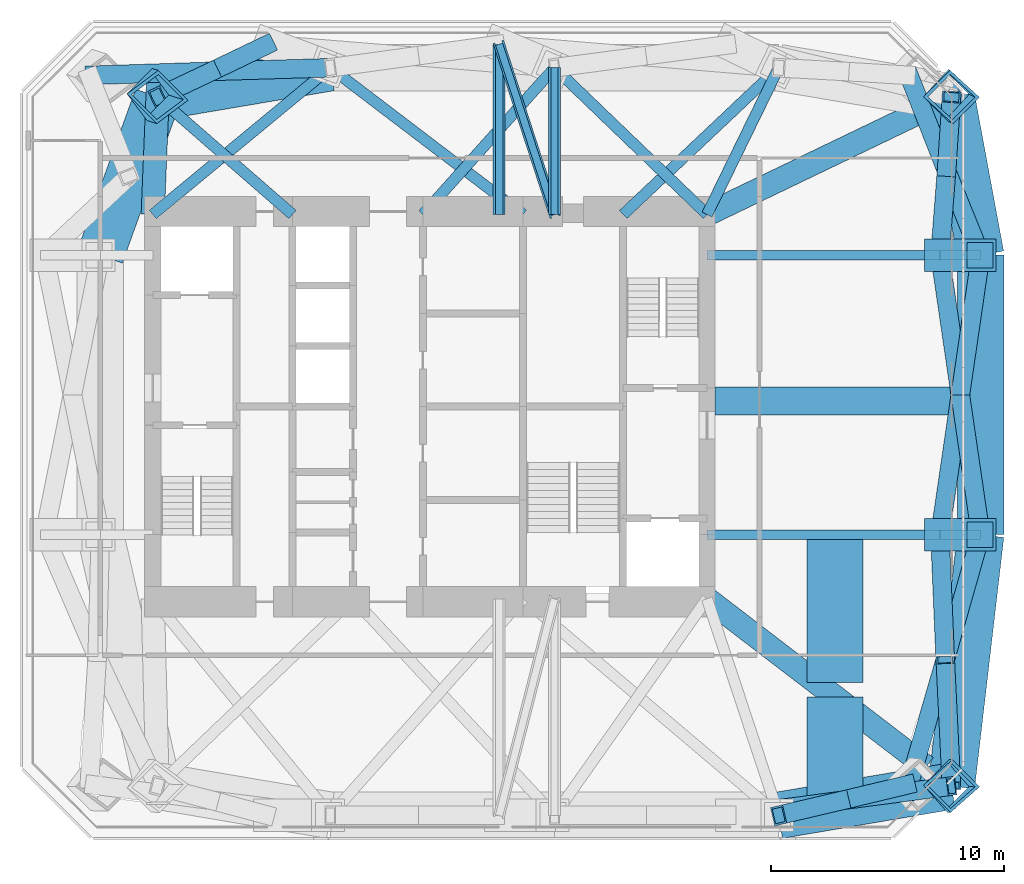
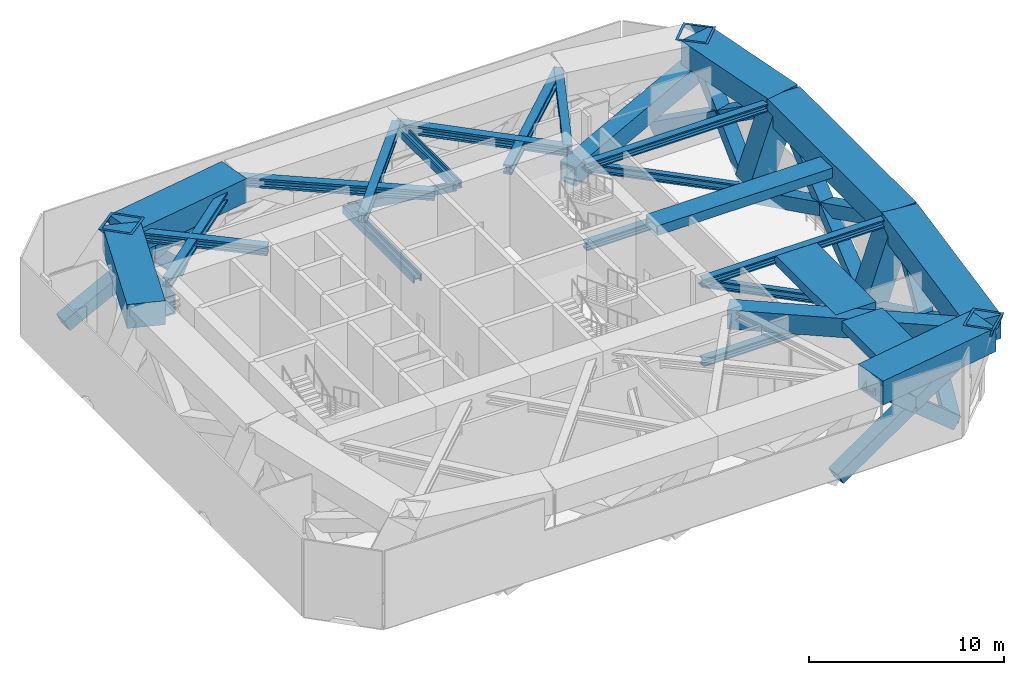
# One storey, part 2 of 9: 41 members, 12 beams.
"""IFC4 building model written with IfcOpenShell, lengths in metres."""

from ifc_helpers import new_model, si_unit, direction, frame, origin, origin_2d, place, context, subcontext, project, spatial, rectangle, hollow_rectangle, i_section, extrude, clip, halfspace, material, material_profile, profile_set, type_object, element, save


model = new_model("IFC4")

# Units and contexts
model_context = context("Model", 3, precision=1e-05, world=origin(), true_north=direction((0.0, 1.0)))
body_context = subcontext(model_context, "Body", "Model", "MODEL_VIEW")
ifc_project = project(units=[si_unit("LENGTHUNIT", "METRE"), si_unit("AREAUNIT", "SQUARE_METRE"), si_unit("VOLUMEUNIT", "CUBIC_METRE"), si_unit("PLANEANGLEUNIT", "RADIAN"), si_unit("MASSUNIT", "GRAM", prefix="KILO")], contexts=[model_context])

# Site, building, storey
site_placement = place(None, origin())
site = spatial("IfcSite", under=ifc_project, at=site_placement, CompositionType="ELEMENT")
building_placement = place(site_placement, origin())
building = spatial("IfcBuilding", under=site, at=building_placement, Name="Jalousie Tower", CompositionType="ELEMENT")
storey_placement = place(building_placement, frame((0.0, 0.0, 212.949951171875)))
storey = spatial("IfcBuildingStorey", under=building, at=storey_placement, Name="L58", CompositionType="ELEMENT", Elevation=212.949951171875)

# Beams
ifc_material_1 = material(Name="Steel ASTM A572 Grade 50 plate", Category="steel")
ifc_material_profile_1 = material_profile(ifc_material_1, hollow_rectangle(XDim=1.0, YDim=1.199951171875, WallThickness=0.10009765625, at=origin_2d()), Name="BOX 1200x1000x100")
ifc_profile_set_1 = profile_set([ifc_material_profile_1], Name="Steel ASTM A572 Grade 50 plate")
beam_type_1 = type_object("IfcBeamType", Name="KINK COLLECTOR BOX 1200x1000x100", PredefinedType="BEAM", material=ifc_profile_set_1)
beam_1_placement = place(storey_placement, frame((53.20947265625, 3.03759765625, 4.1201171875), z_axis=(-0.793667011712, 0.608352426247, 0.0), x_axis=(-0.608352426247, -0.793667011712, 0.0)))
element("IfcBeam", 1, at=beam_1_placement, inside=storey, type_object=beam_type_1, Name="Kink collector 05 L59", PredefinedType="BEAM", context=body_context, shape_type="SweptSolid", body=[
    extrude(hollow_rectangle(XDim=1.0, YDim=1.199951171875, WallThickness=0.10009765625, at=origin_2d()), origin(), (0.0, 0.0, 1.0), 11.855712890625),
])
beam_2_placement = place(storey_placement, frame((54.684326171875, 31.98095703125, 2.900146484375), z_axis=(-0.901312841963, -0.433168744155, 0.0), x_axis=(0.433168744155, -0.901312841963, 0.0)))
element("IfcBeam", 2, at=beam_2_placement, inside=storey, type_object=beam_type_1, Name="Kink collector 08 L59", PredefinedType="BEAM", context=body_context, shape_type="SweptSolid", body=[
    extrude(hollow_rectangle(XDim=1.0, YDim=1.199951171875, WallThickness=0.10009765625, at=origin_2d()), origin(), (0.0, 0.0, 1.0), 12.075927734375),
])
beam_3_placement = place(storey_placement, frame((20.236083984375, 32.497314453125, 2.900146484375), z_axis=(-0.041042657538, -0.99915739514, 0.0), x_axis=(0.99915739514, -0.041042657538, 0.0)))
element("IfcBeam", 3, at=beam_3_placement, inside=storey, type_object=beam_type_1, Name="Kink collector 12 L59", PredefinedType="BEAM", context=body_context, shape_type="SweptSolid", body=[
    extrude(hollow_rectangle(XDim=1.0, YDim=1.199951171875, WallThickness=0.10009765625, at=origin_2d()), origin(), (0.0, 0.0, 1.0), 5.752197265625),
])

# Members
ifc_material_2 = material(Name="Steel ASTM A992 Grade 50", Category="steel")
ifc_material_profile_2 = material_profile(ifc_material_2, i_section(OverallWidth=0.472412109375, OverallDepth=0.5791015625, WebThickness=0.094970703125, FlangeThickness=0.1298828125, at=origin_2d()), Name="W14X808")
ifc_profile_set_2 = profile_set([ifc_material_profile_2], Name="Steel ASTM A992 Grade 50")
member_type_1 = type_object("IfcMemberType", Name="KINK FLOOR TRUSS DIAGONAL W14X808", PredefinedType="BRACE", material=ifc_profile_set_2)
member_1_placement = place(storey_placement, frame((46.875, 33.050048828125, 4.430419921875), z_axis=(-0.727239572188, -0.686383715311, 0.0), x_axis=(0.686383715311, -0.727239572188, 0.0)))
element("IfcMember", 4, at=member_1_placement, inside=storey, type_object=member_type_1, Name="Kink floor truss L59 09 diagonal", PredefinedType="BRACE", context=body_context, shape_type="SweptSolid", body=[
    extrude(i_section(OverallWidth=0.472412109375, OverallDepth=0.5791015625, WebThickness=0.094970703125, FlangeThickness=0.1298828125, at=origin_2d()), origin(), (0.0, 0.0, 1.0), 9.1787109375),
])
member_2_placement = place(storey_placement, frame((46.875, 33.050048828125, 4.430419921875), z_axis=(-0.438626029998, -0.898669686708, 0.0), x_axis=(0.898669686708, -0.438626029998, 0.0)))
element("IfcMember", 5, at=member_2_placement, inside=storey, type_object=member_type_1, Name="Kink floor truss L59 09 diagonal", PredefinedType="BRACE", context=body_context, shape_type="SweptSolid", body=[
    extrude(i_section(OverallWidth=0.472412109375, OverallDepth=0.5791015625, WebThickness=0.094970703125, FlangeThickness=0.1298828125, at=origin_2d()), origin(), (0.0, 0.0, 1.0), 7.010498046875),
])
member_3_placement = place(storey_placement, frame((37.25, 33.050048828125, 4.430419921875), z_axis=(-0.667648694626, -0.744476474151, 0.0), x_axis=(0.744476474151, -0.667648694626, 0.0)))
element("IfcMember", 6, at=member_3_placement, inside=storey, type_object=member_type_1, Name="Kink floor truss L59 10 diagonal", PredefinedType="BRACE", context=body_context, shape_type="SweptSolid", body=[
    extrude(i_section(OverallWidth=0.472412109375, OverallDepth=0.5791015625, WebThickness=0.094970703125, FlangeThickness=0.1298828125, at=origin_2d()), origin(), (0.0, 0.0, 1.0), 8.46240234375),
])
member_4_placement = place(storey_placement, frame((37.25, 33.050048828125, 4.430419921875), z_axis=(0.720727232781, -0.693218764841, 0.0), x_axis=(0.693218764841, 0.720727232781, 0.0)))
element("IfcMember", 7, at=member_4_placement, inside=storey, type_object=member_type_1, Name="Kink floor truss L59 10 diagonal", PredefinedType="BRACE", context=body_context, shape_type="SweptSolid", body=[
    extrude(i_section(OverallWidth=0.472412109375, OverallDepth=0.5791015625, WebThickness=0.094970703125, FlangeThickness=0.1298828125, at=origin_2d()), origin(), (0.0, 0.0, 1.0), 9.088134765625),
])
member_5_placement = place(storey_placement, frame((27.625, 33.050048828125, 4.430419921875), z_axis=(-0.770905365546, -0.636949697679, 0.0), x_axis=(0.636949697679, -0.770905365546, 0.0)))
element("IfcMember", 8, at=member_5_placement, inside=storey, type_object=member_type_1, Name="Kink floor truss L59 11 diagonal", PredefinedType="BRACE", context=body_context, shape_type="SweptSolid", body=[
    extrude(i_section(OverallWidth=0.472412109375, OverallDepth=0.5791015625, WebThickness=0.094970703125, FlangeThickness=0.1298828125, at=origin_2d()), origin(), (0.0, 0.0, 1.0), 9.890869140625),
])
member_6_placement = place(storey_placement, frame((27.625, 33.050048828125, 4.430419921875), z_axis=(0.795646679414, -0.605760977232, 0.0), x_axis=(0.605760977232, 0.795646679414, 0.0)))
element("IfcMember", 9, at=member_6_placement, inside=storey, type_object=member_type_1, Name="Kink floor truss L59 11 diagonal", PredefinedType="BRACE", context=body_context, shape_type="SweptSolid", body=[
    extrude(i_section(OverallWidth=0.472412109375, OverallDepth=0.5791015625, WebThickness=0.094970703125, FlangeThickness=0.1298828125, at=origin_2d()), origin(), (0.0, 0.0, 1.0), 10.400146484375),
])
member_7_placement = place(storey_placement, frame((20.20703125, 31.79296875, 4.430419921875), z_axis=(0.754244081951, -0.656594140121, 0.0), x_axis=(0.656594140121, 0.754244081951, 0.0)))
element("IfcMember", 10, at=member_7_placement, inside=storey, type_object=member_type_1, Name="Kink floor truss L59 12 diagonal", PredefinedType="BRACE", context=body_context, shape_type="SweptSolid", body=[
    extrude(i_section(OverallWidth=0.472412109375, OverallDepth=0.5791015625, WebThickness=0.094970703125, FlangeThickness=0.1298828125, at=origin_2d()), origin(), (0.0, 0.0, 1.0), 7.680419921875),
])
ifc_material_3 = material(Name="Steel EN 10025-2 S355J2 plate", Category="steel")
ifc_material_profile_3 = material_profile(ifc_material_3, hollow_rectangle(XDim=1.60009765625, YDim=1.60009765625, WallThickness=0.125, at=origin_2d()), Name="BOX 1600x1600x125")
ifc_profile_set_3 = profile_set([ifc_material_profile_3], Name="Steel EN 10025-2 S355J2 plate")
member_type_2 = type_object("IfcMemberType", Name="KINK NODE BOX 1600x1600x125", PredefinedType="MEMBER", material=ifc_profile_set_3)
member_8_placement = place(storey_placement, frame((54.15185546875, 2.212646484375, 4.612548828125), z_axis=(0.342188044651, -0.013320468866, 0.939537070693), x_axis=(-0.641638101382, 0.727161988074, 0.243999979414)))
element("IfcMember", 11, at=member_8_placement, inside=storey, type_object=member_type_2, Name="Kink node of corner column 05 at +217.950", PredefinedType="MEMBER", context=body_context, shape_type="Clipping", body=[
    clip(extrude(hollow_rectangle(XDim=1.60009765625, YDim=1.60009765625, WallThickness=0.125, at=origin_2d()), origin(), (0.0, 0.0, 1.0), 0.82470703125), halfspace(frame((0.0, 0.0, 0.412353515625), z_axis=(0.243999979414, 0.240279218491, 0.939537070693)), False)),
])
member_9_placement = place(storey_placement, frame((54.155517578125, 31.863037109375, 4.623046875), z_axis=(0.337200690195, -0.172047285486, 0.925578427843), x_axis=(-0.672252131862, -0.732284918732, 0.108792780114)))
element("IfcMember", 12, at=member_9_placement, inside=storey, type_object=member_type_2, Name="Kink node of corner column 08 at +217.950", PredefinedType="MEMBER", context=body_context, shape_type="Clipping", body=[
    clip(extrude(hollow_rectangle(XDim=1.60009765625, YDim=1.60009765625, WallThickness=0.125, at=origin_2d()), origin(), (0.0, 0.0, 1.0), 0.814453125), halfspace(frame((0.0, 0.0, 0.4072265625), z_axis=(0.108792780114, -0.362586134465, 0.925578427843)), False)),
])
member_10_placement = place(storey_placement, frame((19.869873046875, 31.89990234375, 4.424560546875), z_axis=(0.499065190911, -0.158464942951, 0.851952344369), x_axis=(0.536401926302, -0.715657974966, -0.44733280265)))
element("IfcMember", 13, at=member_10_placement, inside=storey, type_object=member_type_2, Name="Kink node of corner column 12 at +217.950", PredefinedType="MEMBER", context=body_context, shape_type="Clipping", body=[
    clip(extrude(hollow_rectangle(XDim=1.60009765625, YDim=1.60009765625, WallThickness=0.125, at=origin_2d()), origin(), (0.0, 0.0, 1.0), 1.35107421875), halfspace(frame((0.0, 0.0, 0.675537109375), z_axis=(-0.44733280265, -0.272159083254, 0.851952344369)), False)),
])

# Beam
ifc_material_4 = material(Name="Steel ASTM A572 Grade 50 plate", Category="steel")
ifc_material_profile_4 = material_profile(ifc_material_4, hollow_rectangle(XDim=1.199951171875, YDim=0.60009765625, WallThickness=0.10009765625, at=origin_2d()), Name="BOX 600x1200x100")
ifc_profile_set_4 = profile_set([ifc_material_profile_4], Name="Steel ASTM A572 Grade 50 plate")
beam_type_2 = type_object("IfcBeamType", Name="KINK TIE BOX 600x1200x100", PredefinedType="BEAM", material=ifc_profile_set_4)
beam_4_placement = place(storey_placement, frame((44.14990234375, 18.75, 4.420166015625), z_axis=(1.0, 0.0, 0.0), x_axis=(0.0, 1.0, 0.0)))
element("IfcBeam", 14, at=beam_4_placement, inside=storey, type_object=beam_type_2, Name="Kink tie under L59", PredefinedType="BEAM", context=body_context, shape_type="SweptSolid", body=[
    extrude(hollow_rectangle(XDim=1.199951171875, YDim=0.60009765625, WallThickness=0.10009765625, at=origin_2d()), origin(), (0.0, 0.0, 1.0), 10.400146484375),
])

# Members
ifc_material_5 = material(Name="Steel ASTM A992 Grade 50", Category="steel")
ifc_material_profile_5 = material_profile(ifc_material_5, i_section(OverallWidth=0.43701171875, OverallDepth=0.51318359375, WebThickness=0.060546875, FlangeThickness=0.096923828125, at=origin_2d()), Name="W14X550")
ifc_profile_set_5 = profile_set([ifc_material_profile_5], Name="Steel ASTM A992 Grade 50")
member_type_3 = type_object("IfcMemberType", Name="NORTH-SOUTH OUTRIGGER CHORD W14X550", PredefinedType="CHORD", material=ifc_profile_set_5)
member_11_placement = place(storey_placement, frame((34.875, 34.050048828125, -0.53662109375), z_axis=(0.0, -1.0, 0.0), x_axis=(0.0, 0.0, 1.0)))
element("IfcMember", 15, at=member_11_placement, inside=storey, type_object=member_type_3, Name="Outrigger T3 N10 chord L58", PredefinedType="CHORD", context=body_context, shape_type="SweptSolid", body=[
    extrude(i_section(OverallWidth=0.43701171875, OverallDepth=0.51318359375, WebThickness=0.060546875, FlangeThickness=0.096923828125, at=origin_2d()), origin(), (0.0, 0.0, 1.0), 7.300048828125),
])
member_12_placement = place(storey_placement, frame((37.25, 33.050048828125, 4.46337890625), z_axis=(0.0, -1.0, 0.0), x_axis=(0.0, 0.0, 1.0)))
element("IfcMember", 16, at=member_12_placement, inside=storey, type_object=member_type_3, Name="Outrigger T3 N10 chord L59", PredefinedType="CHORD", context=body_context, shape_type="SweptSolid", body=[
    extrude(i_section(OverallWidth=0.43701171875, OverallDepth=0.51318359375, WebThickness=0.060546875, FlangeThickness=0.096923828125, at=origin_2d()), origin(), (0.0, 0.0, 1.0), 6.300048828125),
])
ifc_material_6 = material(Name="Steel ASTM A992 Grade 50", Category="steel")
ifc_material_profile_6 = material_profile(ifc_material_6, i_section(OverallWidth=0.42431640625, OverallDepth=0.47509765625, WebThickness=0.0478515625, FlangeThickness=0.0771484375, at=origin_2d()), Name="W14X426")
ifc_profile_set_6 = profile_set([ifc_material_profile_6], Name="Steel ASTM A992 Grade 50")
member_type_4 = type_object("IfcMemberType", Name="NORTH-SOUTH OUTRIGGER DIAGONAL W14X426", PredefinedType="BRACE", material=ifc_profile_set_6)
member_13_placement = place(storey_placement, frame((34.875, 34.050048828125, -0.53662109375), z_axis=(0.259239718371, -0.796826358862, 0.545767828149), x_axis=(-0.168848961906, 0.518991859576, 0.837936440166)))
element("IfcMember", 17, at=member_13_placement, inside=storey, type_object=member_type_4, Name="Outrigger T3 N10 diagonal L58", PredefinedType="BRACE", context=body_context, shape_type="SweptSolid", body=[
    extrude(i_section(OverallWidth=0.42431640625, OverallDepth=0.47509765625, WebThickness=0.0478515625, FlangeThickness=0.0771484375, at=origin_2d()), origin(), (0.0, 0.0, 1.0), 9.161376953125),
])
ifc_material_7 = material(Name="Steel ASTM A992 Grade 50", Category="steel")
ifc_material_profile_7 = material_profile(ifc_material_7, i_section(OverallWidth=0.42431640625, OverallDepth=0.47509765625, WebThickness=0.0478515625, FlangeThickness=0.0771484375, at=origin_2d()), Name="W14X426")
ifc_profile_set_7 = profile_set([ifc_material_profile_7], Name="Steel ASTM A992 Grade 50")
member_type_5 = type_object("IfcMemberType", Name="OUTRIGGER CHORD W14X426", PredefinedType="CHORD", material=ifc_profile_set_7)
member_14_placement = place(storey_placement, frame((53.800048828125, 13.0, -0.517333984375), z_axis=(-1.0, 0.0, 0.0), x_axis=(0.0, -1.0, 0.0)))
element("IfcMember", 18, at=member_14_placement, inside=storey, type_object=member_type_5, Name="Outrigger T3 east arm at column 06 chord L58", PredefinedType="CHORD", context=body_context, shape_type="SweptSolid", body=[
    extrude(i_section(OverallWidth=0.42431640625, OverallDepth=0.47509765625, WebThickness=0.0478515625, FlangeThickness=0.0771484375, at=origin_2d()), origin(), (0.0, 0.0, 1.0), 10.0),
])
member_15_placement = place(storey_placement, frame((55.550048828125, 13.0, 4.482666015625), z_axis=(-1.0, 0.0, 0.0), x_axis=(0.0, -1.0, 0.0)))
element("IfcMember", 19, at=member_15_placement, inside=storey, type_object=member_type_5, Name="Outrigger T3 east arm at column 06 chord L59", PredefinedType="CHORD", context=body_context, shape_type="SweptSolid", body=[
    extrude(i_section(OverallWidth=0.42431640625, OverallDepth=0.47509765625, WebThickness=0.0478515625, FlangeThickness=0.0771484375, at=origin_2d()), origin(), (0.0, 0.0, 1.0), 11.75),
])
member_16_placement = place(storey_placement, frame((53.800048828125, 25.0, -0.517333984375), z_axis=(-1.0, 0.0, 0.0), x_axis=(0.0, -1.0, 0.0)))
element("IfcMember", 20, at=member_16_placement, inside=storey, type_object=member_type_5, Name="Outrigger T3 east arm at column 07 chord L58", PredefinedType="CHORD", context=body_context, shape_type="SweptSolid", body=[
    extrude(i_section(OverallWidth=0.42431640625, OverallDepth=0.47509765625, WebThickness=0.0478515625, FlangeThickness=0.0771484375, at=origin_2d()), origin(), (0.0, 0.0, 1.0), 10.0),
])
member_17_placement = place(storey_placement, frame((55.550048828125, 25.0, 4.482666015625), z_axis=(-1.0, 0.0, 0.0), x_axis=(0.0, -1.0, 0.0)))
element("IfcMember", 21, at=member_17_placement, inside=storey, type_object=member_type_5, Name="Outrigger T3 east arm at column 07 chord L59", PredefinedType="CHORD", context=body_context, shape_type="SweptSolid", body=[
    extrude(i_section(OverallWidth=0.42431640625, OverallDepth=0.47509765625, WebThickness=0.0478515625, FlangeThickness=0.0771484375, at=origin_2d()), origin(), (0.0, 0.0, 1.0), 11.75),
])
ifc_material_8 = material(Name="Steel ASTM A992 Grade 50", Category="steel")
ifc_material_profile_8 = material_profile(ifc_material_8, i_section(OverallWidth=0.42431640625, OverallDepth=0.47509765625, WebThickness=0.0478515625, FlangeThickness=0.0771484375, at=origin_2d()), Name="W14X426")
ifc_profile_set_8 = profile_set([ifc_material_profile_8], Name="Steel ASTM A992 Grade 50")
member_type_6 = type_object("IfcMemberType", Name="OUTRIGGER DIAGONAL W14X426", PredefinedType="BRACE", material=ifc_profile_set_8)
for number, where, z_axis, x_axis, name in (
    (22, (53.800048828125, 13.0, -0.517333984375), (-0.894427191, 0.0, 0.4472135955), (0.0, -1.0, 0.0), "Outrigger T3 east arm at column 06 diagonal L58"),
    (23, (53.800048828125, 25.0, -0.517333984375), (-0.894427191, 0.0, 0.4472135955), (0.0, -1.0, 0.0), "Outrigger T3 east arm at column 07 diagonal L58"),
):
    element("IfcMember", number, at=place(storey_placement, frame(where, z_axis=z_axis, x_axis=x_axis)), inside=storey, type_object=member_type_6, Name=name, PredefinedType="BRACE", context=body_context, shape_type="SweptSolid", body=[
        extrude(i_section(OverallWidth=0.42431640625, OverallDepth=0.47509765625, WebThickness=0.0478515625, FlangeThickness=0.0771484375, at=origin_2d()), origin(), (0.0, 0.0, 1.0), 11.180419921875),
    ])
ifc_material_9 = material(Name="Steel ASTM A572 Grade 50 plate", Category="steel")
ifc_material_profile_9 = material_profile(ifc_material_9, hollow_rectangle(XDim=0.800048828125, YDim=0.800048828125, WallThickness=0.080078125, at=origin_2d()), Name="BOX 800x800x80")
ifc_profile_set_9 = profile_set([ifc_material_profile_9], Name="Steel ASTM A572 Grade 50 plate")
member_type_7 = type_object("IfcMemberType", Name="PERIMETER BRACE BOX 800x800x80", PredefinedType="BRACE", material=ifc_profile_set_9)
member_18_placement = place(storey_placement, frame((44.8125, 0.949951171875, -0.75), z_axis=(0.878284702449, 0.117766553684, 0.463408049432), x_axis=(-0.132897609626, 0.991129772207, 0.0)))
element("IfcMember", 24, at=member_18_placement, inside=storey, type_object=member_type_7, Name="Perimeter brace 04-05 L58 part 1", PredefinedType="BRACE", context=body_context, shape_type="SweptSolid", body=[
    extrude(hollow_rectangle(XDim=0.800048828125, YDim=0.800048828125, WallThickness=0.080078125, at=origin_2d()), origin(), (0.0, 0.0, 1.0), 5.4833984375),
])
member_19_placement = place(storey_placement, frame((49.62841796875, 1.595703125, 1.791015625), z_axis=(0.87872294569, 0.115163940961, 0.463231315241), x_axis=(-0.129947054297, 0.991520934262, 0.0)))
element("IfcMember", 25, at=member_19_placement, inside=storey, type_object=member_type_7, Name="Perimeter brace 04-05 L58 part 2", PredefinedType="BRACE", context=body_context, shape_type="SweptSolid", body=[
    extrude(hollow_rectangle(XDim=0.800048828125, YDim=0.800048828125, WallThickness=0.080078125, at=origin_2d()), origin(), (0.0, 0.0, 1.0), 5.308349609375),
])
member_20_placement = place(storey_placement, frame((52.47216796875, 2.27783203125, -0.75), z_axis=(-0.734033543975, -0.17607226321, 0.655891236752), x_axis=(0.233252966814, -0.97241609071, 0.0)))
element("IfcMember", 26, at=member_20_placement, inside=storey, type_object=member_type_7, Name="Perimeter brace 04-05 L58 part 3", PredefinedType="BRACE", context=body_context, shape_type="SweptSolid", body=[
    extrude(hollow_rectangle(XDim=0.800048828125, YDim=0.800048828125, WallThickness=0.080078125, at=origin_2d()), origin(), (0.0, 0.0, 1.0), 3.8740234375),
])
member_21_placement = place(storey_placement, frame((49.62841796875, 1.595703125, 1.791015625), z_axis=(-0.734704429335, -0.17230831846, 0.656139653508), x_axis=(0.228331967072, -0.973583336347, 0.0)))
element("IfcMember", 27, at=member_21_placement, inside=storey, type_object=member_type_7, Name="Perimeter brace 04-05 L58 part 4", PredefinedType="BRACE", context=body_context, shape_type="SweptSolid", body=[
    extrude(hollow_rectangle(XDim=0.800048828125, YDim=0.800048828125, WallThickness=0.080078125, at=origin_2d()), origin(), (0.0, 0.0, 1.0), 3.74755859375),
])
member_22_placement = place(storey_placement, frame((52.47216796875, 2.27783203125, -0.75), z_axis=(0.254620544306, 0.876746604302, 0.408024227543), x_axis=(-0.960322406857, 0.278892228089, 0.0)))
element("IfcMember", 28, at=member_22_placement, inside=storey, type_object=member_type_7, Name="Perimeter brace 05-06 L58 part 1", PredefinedType="BRACE", context=body_context, shape_type="SweptSolid", body=[
    extrude(hollow_rectangle(XDim=0.800048828125, YDim=0.800048828125, WallThickness=0.080078125, at=origin_2d()), origin(), (0.0, 0.0, 1.0), 6.109619140625),
])
member_23_placement = place(storey_placement, frame((54.02783203125, 7.634521484375, 1.742919921875), z_axis=(0.248939169145, 0.877455672863, 0.410001014908), x_axis=(-0.962032715468, 0.272934157571, 0.0)))
element("IfcMember", 29, at=member_23_placement, inside=storey, type_object=member_type_7, Name="Perimeter brace 05-06 L58 part 2", PredefinedType="BRACE", context=body_context, shape_type="SweptSolid", body=[
    extrude(hollow_rectangle(XDim=0.800048828125, YDim=0.800048828125, WallThickness=0.080078125, at=origin_2d()), origin(), (0.0, 0.0, 1.0), 6.11474609375),
])
member_24_placement = place(storey_placement, frame((53.800048828125, 13.0, -0.75), z_axis=(0.038472230209, -0.906221011041, 0.42105031368), x_axis=(0.999100067546, 0.042415268827, 0.0)))
element("IfcMember", 30, at=member_24_placement, inside=storey, type_object=member_type_7, Name="Perimeter brace 05-06 L58 part 3", PredefinedType="BRACE", context=body_context, shape_type="SweptSolid", body=[
    extrude(hollow_rectangle(XDim=0.800048828125, YDim=0.800048828125, WallThickness=0.080078125, at=origin_2d()), origin(), (0.0, 0.0, 1.0), 5.920654296875),
])
member_25_placement = place(storey_placement, frame((54.02783203125, 7.634521484375, 1.742919921875), z_axis=(0.04430442569, -0.906935255544, 0.418933837397), x_axis=(0.998808935696, 0.048792519642, 0.0)))
element("IfcMember", 31, at=member_25_placement, inside=storey, type_object=member_type_7, Name="Perimeter brace 05-06 L58 part 4", PredefinedType="BRACE", context=body_context, shape_type="SweptSolid", body=[
    extrude(hollow_rectangle(XDim=0.800048828125, YDim=0.800048828125, WallThickness=0.080078125, at=origin_2d()), origin(), (0.0, 0.0, 1.0), 5.984375),
])
for number, where, z_axis, x_axis, name in (
    (32, (53.800048828125, 13.0, -0.75), (0.133412012142, 0.914825226113, 0.381177177547), (-0.989532981063, 0.144306893072, 0.0), "Perimeter brace 06-07 L58 part 1"),
    (33, (54.675048828125, 19.0, 1.75), (0.133412012142, 0.914825226113, 0.381177177547), (-0.989532981063, 0.144306893072, 0.0), "Perimeter brace 06-07 L58 part 2"),
    (34, (53.800048828125, 25.0, -0.75), (0.133412012142, -0.914825226113, 0.381177177547), (0.989532981063, 0.144306893072, 0.0), "Perimeter brace 06-07 L58 part 3"),
    (35, (54.675048828125, 19.0, 1.75), (0.133412012142, -0.914825226113, 0.381177177547), (0.989532981063, 0.144306893072, 0.0), "Perimeter brace 06-07 L58 part 4"),
):
    element("IfcMember", number, at=place(storey_placement, frame(where, z_axis=z_axis, x_axis=x_axis)), inside=storey, type_object=member_type_7, Name=name, PredefinedType="BRACE", context=body_context, shape_type="SweptSolid", body=[
        extrude(hollow_rectangle(XDim=0.800048828125, YDim=0.800048828125, WallThickness=0.080078125, at=origin_2d()), origin(), (0.0, 0.0, 1.0), 6.55859375),
    ])
member_26_placement = place(storey_placement, frame((53.800048828125, 25.0, -0.75), z_axis=(0.062941048439, 0.804788857949, 0.590214637689), x_axis=(-0.996955700846, 0.077970061885, 0.0)))
element("IfcMember", 36, at=member_26_placement, inside=storey, type_object=member_type_7, Name="Perimeter brace 07-08 L58 part 1", PredefinedType="BRACE", context=body_context, shape_type="SweptSolid", body=[
    extrude(hollow_rectangle(XDim=0.800048828125, YDim=0.800048828125, WallThickness=0.080078125, at=origin_2d()), origin(), (0.0, 0.0, 1.0), 4.50341796875),
])
member_27_placement = place(storey_placement, frame((54.08349609375, 28.624267578125, 1.907958984375), z_axis=(0.053086878457, 0.803047314089, 0.593545949923), x_axis=(-0.997822082005, 0.065962812725, 0.0)))
element("IfcMember", 37, at=member_27_placement, inside=storey, type_object=member_type_7, Name="Perimeter brace 07-08 L58 part 2", PredefinedType="BRACE", context=body_context, shape_type="SweptSolid", body=[
    extrude(hollow_rectangle(XDim=0.800048828125, YDim=0.800048828125, WallThickness=0.080078125, at=origin_2d()), origin(), (0.0, 0.0, 1.0), 3.94580078125),
])
member_28_placement = place(storey_placement, frame((52.47216796875, 32.72216796875, -0.75), z_axis=(0.31328459218, -0.796739678748, 0.516777175009), x_axis=(0.930640254564, 0.365935399471, 0.0)))
element("IfcMember", 38, at=member_28_placement, inside=storey, type_object=member_type_7, Name="Perimeter brace 07-08 L58 part 3", PredefinedType="BRACE", context=body_context, shape_type="SweptSolid", body=[
    extrude(hollow_rectangle(XDim=0.800048828125, YDim=0.800048828125, WallThickness=0.080078125, at=origin_2d()), origin(), (0.0, 0.0, 1.0), 5.143310546875),
])
member_29_placement = place(storey_placement, frame((54.08349609375, 28.624267578125, 1.907958984375), z_axis=(0.321785435236, -0.79522303747, 0.513881751327), x_axis=(0.926983520962, 0.375102055266, 0.0)))
element("IfcMember", 39, at=member_29_placement, inside=storey, type_object=member_type_7, Name="Perimeter brace 07-08 L58 part 4", PredefinedType="BRACE", context=body_context, shape_type="SweptSolid", body=[
    extrude(hollow_rectangle(XDim=0.800048828125, YDim=0.800048828125, WallThickness=0.080078125, at=origin_2d()), origin(), (0.0, 0.0, 1.0), 4.5576171875),
])
member_30_placement = place(storey_placement, frame((24.9375, 34.050048828125, -0.75), z_axis=(-0.652746835595, -0.313387386558, 0.689717271472), x_axis=(0.432808409091, -0.901485929463, 0.0)))
element("IfcMember", 40, at=member_30_placement, inside=storey, type_object=member_type_7, Name="Perimeter brace 11-12 L58 part 1", PredefinedType="BRACE", context=body_context, shape_type="SweptSolid", body=[
    extrude(hollow_rectangle(XDim=0.800048828125, YDim=0.800048828125, WallThickness=0.080078125, at=origin_2d()), origin(), (0.0, 0.0, 1.0), 3.684814453125),
])
member_31_placement = place(storey_placement, frame((22.5322265625, 32.895263671875, 1.79150390625), z_axis=(-0.653346081481, -0.309728849001, 0.690801663221), x_axis=(0.428367733916, -0.90360449564, 0.0)))
element("IfcMember", 41, at=member_31_placement, inside=storey, type_object=member_type_7, Name="Perimeter brace 11-12 L58 part 2", PredefinedType="BRACE", context=body_context, shape_type="SweptSolid", body=[
    extrude(hollow_rectangle(XDim=0.800048828125, YDim=0.800048828125, WallThickness=0.080078125, at=origin_2d()), origin(), (0.0, 0.0, 1.0), 3.558837890625),
])
member_32_placement = place(storey_placement, frame((17.27783203125, 32.72216796875, -0.75), z_axis=(0.89982712042, 0.029643036352, 0.435238375782), x_axis=(-0.032925173962, 0.99945781948, 0.0)))
element("IfcMember", 42, at=member_32_placement, inside=storey, type_object=member_type_7, Name="Perimeter brace 11-12 L58 part 3", PredefinedType="BRACE", context=body_context, shape_type="SweptSolid", body=[
    extrude(hollow_rectangle(XDim=0.800048828125, YDim=0.800048828125, WallThickness=0.080078125, at=origin_2d()), origin(), (0.0, 0.0, 1.0), 5.83935546875),
])
member_33_placement = place(storey_placement, frame((22.5322265625, 32.895263671875, 1.79150390625), z_axis=(0.900220324653, 0.027360483501, 0.434574241096), x_axis=(-0.030379068889, 0.999538449572, 0.0)))
element("IfcMember", 43, at=member_33_placement, inside=storey, type_object=member_type_7, Name="Perimeter brace 11-12 L58 part 4", PredefinedType="BRACE", context=body_context, shape_type="SweptSolid", body=[
    extrude(hollow_rectangle(XDim=0.800048828125, YDim=0.800048828125, WallThickness=0.080078125, at=origin_2d()), origin(), (0.0, 0.0, 1.0), 5.6572265625),
])

# Beams
ifc_material_10 = material(Name="Concrete f'c 40 MPa", Category="concrete")
ifc_material_profile_10 = material_profile(ifc_material_10, rectangle(XDim=2.0, YDim=1.5, at=origin_2d()), Name="RC 2000x1500")
ifc_profile_set_10 = profile_set([ifc_material_profile_10], Name="Concrete f'c 40 MPa")
beam_type_3 = type_object("IfcBeamType", Name="RC BEAM 2000x1500", PredefinedType="BEAM", material=ifc_profile_set_10)
beam_5_placement = place(storey_placement, frame((46.875, 0.949951171875, 4.25), z_axis=(0.985942997446, 0.167082033105, 0.0), x_axis=(-0.167082033105, 0.985942997446, 0.0)))
element("IfcBeam", 44, at=beam_5_placement, inside=storey, type_object=beam_type_3, Name="Edge band beam 04-05 under L59", PredefinedType="BEAM", context=body_context, shape_type="SweptSolid", body=[
    extrude(rectangle(XDim=2.0, YDim=1.5, at=origin_2d()), origin(), (0.0, 0.0, 1.0), 7.523681640625),
])
beam_6_placement = place(storey_placement, frame((54.29296875, 2.20703125, 4.25), z_axis=(0.115690063472, 0.993285361421, 0.0), x_axis=(-0.993285361421, 0.115690063472, 0.0)))
element("IfcBeam", 45, at=beam_6_placement, inside=storey, type_object=beam_type_3, Name="Edge band beam 05-06 under L59", PredefinedType="BEAM", context=body_context, shape_type="SweptSolid", body=[
    extrude(rectangle(XDim=2.0, YDim=1.5, at=origin_2d()), origin(), (0.0, 0.0, 1.0), 10.865966796875),
])
beam_7_placement = place(storey_placement, frame((55.550048828125, 13.0, 4.25), z_axis=(0.0, 1.0, 0.0), x_axis=(-1.0, 0.0, 0.0)))
element("IfcBeam", 46, at=beam_7_placement, inside=storey, type_object=beam_type_3, Name="Edge band beam 06-07 under L59", PredefinedType="BEAM", context=body_context, shape_type="SweptSolid", body=[
    extrude(rectangle(XDim=2.0, YDim=1.5, at=origin_2d()), origin(), (0.0, 0.0, 1.0), 12.0),
])
beam_8_placement = place(storey_placement, frame((55.550048828125, 25.0, 4.25), z_axis=(-0.181966505593, 0.983304729391, 0.0), x_axis=(-0.983304729391, -0.181966505593, 0.0)))
element("IfcBeam", 47, at=beam_8_placement, inside=storey, type_object=beam_type_3, Name="Edge band beam 07-08 under L59", PredefinedType="BEAM", context=body_context, shape_type="SweptSolid", body=[
    extrude(rectangle(XDim=2.0, YDim=1.5, at=origin_2d()), origin(), (0.0, 0.0, 1.0), 6.908203125),
])
beam_9_placement = place(storey_placement, frame((27.625, 33.050048828125, 4.25), z_axis=(-0.985942997446, -0.167082033105, 0.0), x_axis=(0.167082033105, -0.985942997446, 0.0)))
element("IfcBeam", 48, at=beam_9_placement, inside=storey, type_object=beam_type_3, Name="Edge band beam 11-12 under L59", PredefinedType="BEAM", context=body_context, shape_type="SweptSolid", body=[
    extrude(rectangle(XDim=2.0, YDim=1.5, at=origin_2d()), origin(), (0.0, 0.0, 1.0), 7.523681640625),
])
beam_10_placement = place(storey_placement, frame((20.20703125, 31.79296875, 4.25), z_axis=(-0.340136081654, -0.940376225751, 0.0), x_axis=(0.940376225751, -0.340136081654, 0.0)))
element("IfcBeam", 49, at=beam_10_placement, inside=storey, type_object=beam_type_3, Name="Edge band beam 12-13 under L59", PredefinedType="BEAM", context=body_context, shape_type="SweptSolid", body=[
    extrude(rectangle(XDim=2.0, YDim=1.5, at=origin_2d()), origin(), (0.0, 0.0, 1.0), 7.2236328125),
])
ifc_material_11 = material(Name="Concrete f'c 40 MPa", Category="concrete")
ifc_material_profile_11 = material_profile(ifc_material_11, rectangle(XDim=2.39990234375, YDim=0.60009765625, at=origin_2d()), Name="RC 2400x600")
ifc_profile_set_11 = profile_set([ifc_material_profile_11], Name="Concrete f'c 40 MPa")
beam_type_4 = type_object("IfcBeamType", Name="RC BEAM 2400x600", PredefinedType="BEAM", material=ifc_profile_set_11)
beam_11_placement = place(storey_placement, frame((49.300048828125, 1.361083984375, 4.420166015625), z_axis=(0.0, 1.0, 0.0), x_axis=(-1.0, 0.0, 0.0)))
element("IfcBeam", 50, at=beam_11_placement, inside=storey, type_object=beam_type_4, Name="Floor band beam under L59", PredefinedType="BEAM", context=body_context, shape_type="SweptSolid", body=[
    extrude(rectangle(XDim=2.39990234375, YDim=0.60009765625, at=origin_2d()), origin(), (0.0, 0.0, 1.0), 4.673095703125),
])
beam_12_placement = place(storey_placement, frame((49.300048828125, 6.664306640625, 4.420166015625), z_axis=(0.0, 1.0, 0.0), x_axis=(-1.0, 0.0, 0.0)))
element("IfcBeam", 51, at=beam_12_placement, inside=storey, type_object=beam_type_4, Name="Floor band beam under L59", PredefinedType="BEAM", context=body_context, shape_type="SweptSolid", body=[
    extrude(rectangle(XDim=2.39990234375, YDim=0.60009765625, at=origin_2d()), origin(), (0.0, 0.0, 1.0), 6.335693359375),
])

# Members
ifc_material_12 = material(Name="Steel EN 10025-2 S355J2 plate", Category="steel")
ifc_material_profile_12 = material_profile(ifc_material_12, hollow_rectangle(XDim=1.39990234375, YDim=1.39990234375, WallThickness=0.14990234375, at=origin_2d()), Name="BOX 1400x1400x150")
ifc_profile_set_12 = profile_set([ifc_material_profile_12], Name="Steel EN 10025-2 S355J2 plate")
member_type_8 = type_object("IfcMemberType", Name="TRANSFER TRUSS STRUT BOX 1400x1400x150", PredefinedType="STRUT", material=ifc_profile_set_12)
for number, where, z_axis, x_axis, name in (
    (52, (53.800048828125, 13.0, 0.0), (0.330350424728, 0.0, 0.943858356366), (0.0, 1.0, 0.0), "Transfer truss T3 strut 06 L58"),
    (53, (53.800048828125, 25.0, 0.0), (0.330350424728, 0.0, 0.943858356366), (0.0, 1.0, 0.0), "Transfer truss T3 strut 07 L58"),
):
    element("IfcMember", number, at=place(storey_placement, frame(where, z_axis=z_axis, x_axis=x_axis)), inside=storey, type_object=member_type_8, Name=name, PredefinedType="STRUT", context=body_context, shape_type="Clipping", body=[
        clip(extrude(hollow_rectangle(XDim=1.39990234375, YDim=1.39990234375, WallThickness=0.14990234375, at=origin_2d()), origin(), (0.0, 0.0, 1.0), 5.29736328125), halfspace(frame((0.0, 0.0, 5.276123046875), z_axis=(0.0, 0.330350424728, 0.943858356366)), False)),
    ])

save(model, "model.ifc")
